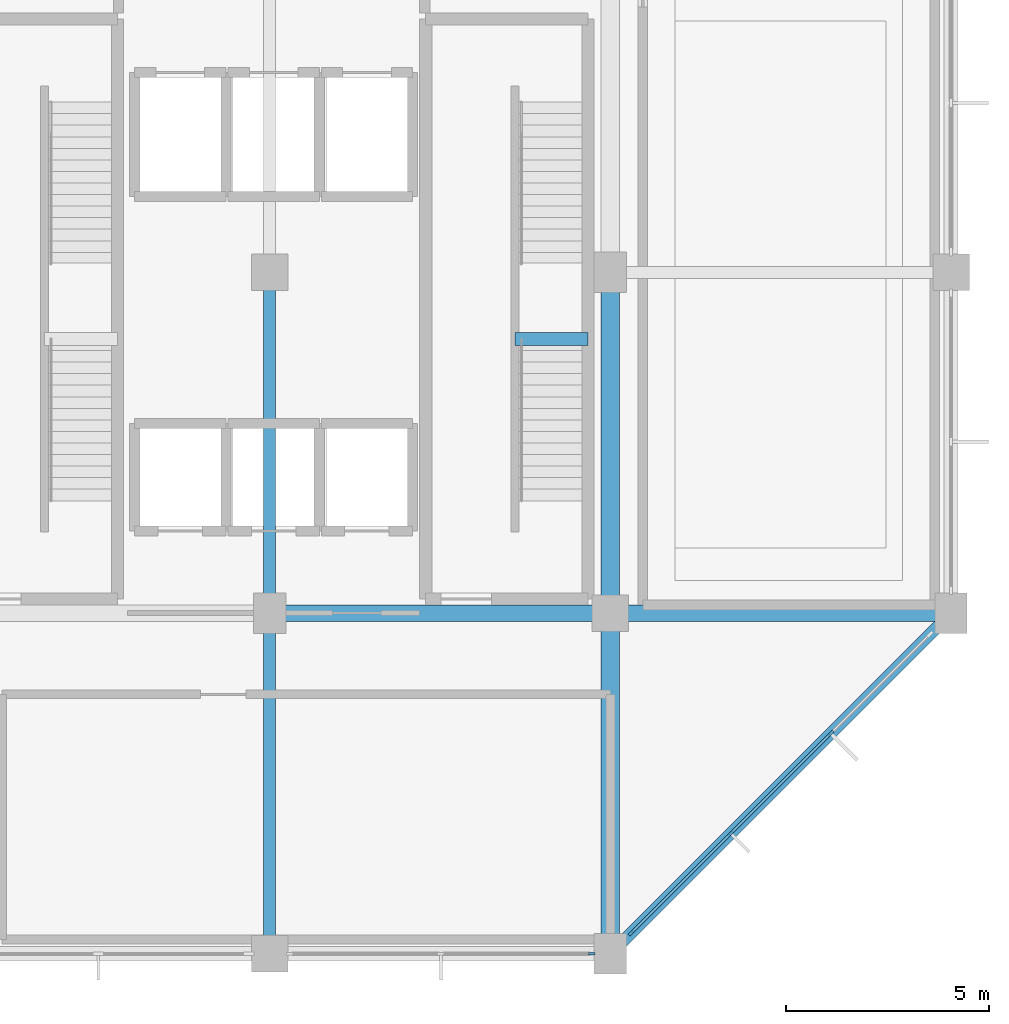
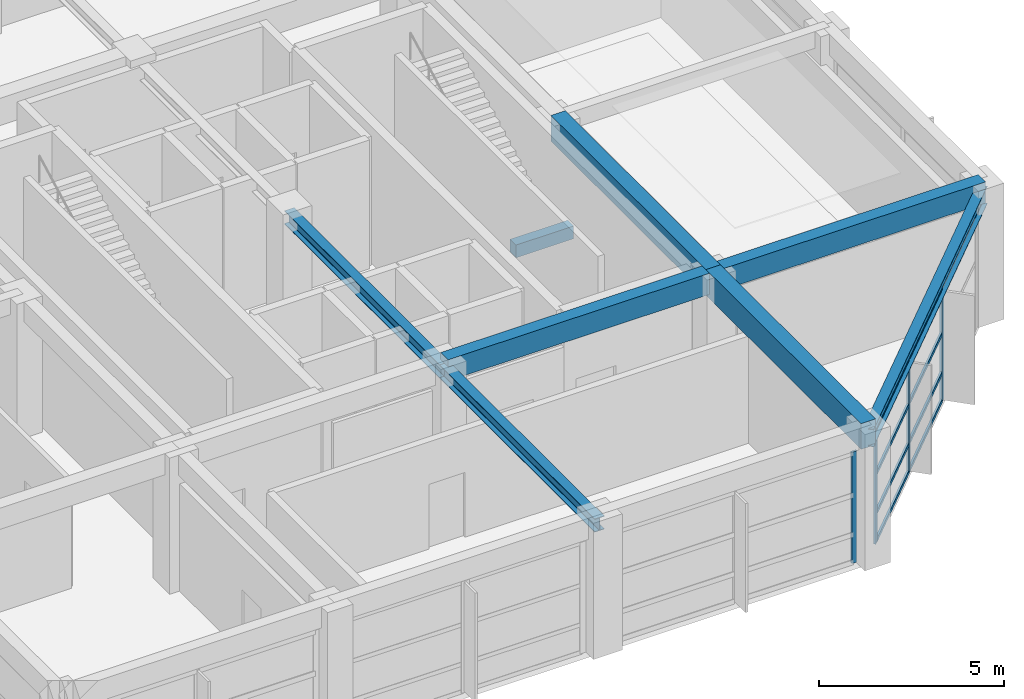
# One storey, part 3 of 10: 12 members, 8 beams, 2 elements without a shape of their own.
"""IFC4 building model written with IfcOpenShell, lengths in metres."""

from ifc_helpers import new_model, si_unit, direction, frame, origin, origin_2d, place, context, subcontext, project, spatial, rectangle, i_section, extrude, material, material_profile, profile_set, type_object, element, aggregate, save


model = new_model("IFC4")

# Units and contexts
model_context = context("Model", 3, precision=1e-05, world=origin(), true_north=direction((0.0, 1.0)))
body_context = subcontext(model_context, "Body", "Model", "MODEL_VIEW")
ifc_project = project(units=[si_unit("LENGTHUNIT", "METRE"), si_unit("AREAUNIT", "SQUARE_METRE"), si_unit("VOLUMEUNIT", "CUBIC_METRE"), si_unit("PLANEANGLEUNIT", "RADIAN"), si_unit("MASSUNIT", "GRAM", prefix="KILO")], contexts=[model_context])

# Site, building, storey
site_placement = place(None, origin())
site = spatial("IfcSite", under=ifc_project, at=site_placement, CompositionType="ELEMENT")
building_placement = place(site_placement, origin())
building = spatial("IfcBuilding", under=site, at=building_placement, Name="Xuanlan Plaza Opera House", CompositionType="ELEMENT")
storey_placement = place(building_placement, frame((0.0, 0.0, 69.89990234375)))
storey = spatial("IfcBuildingStorey", under=building, at=storey_placement, Name="L16", CompositionType="ELEMENT", Elevation=69.89990234375)

# Curtain wall, member
ifc_material_1 = material(Name="Anodised Aluminium 6063-T6 and Low-E Glass", Category="aluminium")
curtain_wall_type_1 = type_object("IfcCurtainWallType", Name="ENV-CW-CW-01", PredefinedType="USERDEFINED", material=ifc_material_1)
curtain_wall_1_placement = place(storey_placement, origin())
curtain_wall_1 = element("IfcCurtainWall", 1, at=curtain_wall_1_placement, inside=storey, type_object=curtain_wall_type_1, Name="Unitised Curtain Wall L16-003", ObjectType="UNITISED CURTAIN WALL", PredefinedType="USERDEFINED")
ifc_material_2 = material(Name="Anodised Aluminium 6063-T6", Category="aluminium")
ifc_material_profile_1 = material_profile(ifc_material_2, rectangle(XDim=0.06494140625, YDim=0.159912109375, at=origin_2d()), Name="ALU-M 65x160")
ifc_profile_set_1 = profile_set([ifc_material_profile_1], Name="Anodised Aluminium 6063-T6")
member_type_1 = type_object("IfcMemberType", Name="ENV-CWM-01", PredefinedType="MULLION", material=ifc_profile_set_1)
member_1_placement = place(storey_placement, frame((150.74755859375, 42.0, 0.0), z_axis=(0.0, 0.0, 1.0), x_axis=(0.0, 1.0, 0.0)))
member_1 = element("IfcMember", 2, at=member_1_placement, type_object=member_type_1, Name="CW-01 mullion 3", PredefinedType="MULLION", context=body_context, shape_type="SweptSolid", body=[
    extrude(rectangle(XDim=0.06494140625, YDim=0.159912109375, at=origin_2d()), origin(), (0.0, 0.0, 1.0), 3.68017578125),
])
aggregate(curtain_wall_1, [member_1])

# Curtain wall, members
curtain_wall_type_2 = type_object("IfcCurtainWallType", Name="ENV-CW-CW-02", PredefinedType="USERDEFINED", material=ifc_material_1)
curtain_wall_2_placement = place(storey_placement, origin())
curtain_wall_2 = element("IfcCurtainWall", 3, at=curtain_wall_2_placement, inside=storey, type_object=curtain_wall_type_2, Name="Unitised Curtain Wall L16-004", ObjectType="UNITISED CURTAIN WALL", PredefinedType="USERDEFINED")
ifc_material_profile_2 = material_profile(ifc_material_2, rectangle(XDim=0.070068359375, YDim=0.179931640625, at=origin_2d()), Name="ALU-M 70x180")
ifc_profile_set_2 = profile_set([ifc_material_profile_2], Name="Anodised Aluminium 6063-T6")
member_type_2 = type_object("IfcMemberType", Name="ENV-CWM-02", PredefinedType="MULLION", material=ifc_profile_set_2)
member_2_placement = place(storey_placement, frame((151.7236328125, 42.523681640625, 0.0), z_axis=(0.0, 0.0, 1.0), x_axis=(-0.707106781187, 0.707106781187, 0.0)))
member_2 = element("IfcMember", 4, at=member_2_placement, type_object=member_type_2, Name="CW-02 mullion 1", PredefinedType="MULLION", context=body_context, shape_type="SweptSolid", body=[
    extrude(rectangle(XDim=0.070068359375, YDim=0.179931640625, at=origin_2d()), origin(), (0.0, 0.0, 1.0), 3.68017578125),
])
member_3_placement = place(storey_placement, frame((154.166259765625, 44.96630859375, 0.0), z_axis=(0.0, 0.0, 1.0), x_axis=(-0.707106781187, 0.707106781187, 0.0)))
member_3 = element("IfcMember", 5, at=member_3_placement, type_object=member_type_2, Name="CW-02 mullion 2", PredefinedType="MULLION", context=body_context, shape_type="SweptSolid", body=[
    extrude(rectangle(XDim=0.070068359375, YDim=0.179931640625, at=origin_2d()), origin(), (0.0, 0.0, 1.0), 3.68017578125),
])
member_4_placement = place(storey_placement, frame((156.633544921875, 47.43359375, 0.0), z_axis=(0.0, 0.0, 1.0), x_axis=(-0.707106781187, 0.707106781187, 0.0)))
member_4 = element("IfcMember", 6, at=member_4_placement, type_object=member_type_2, Name="CW-02 mullion 3", PredefinedType="MULLION", context=body_context, shape_type="SweptSolid", body=[
    extrude(rectangle(XDim=0.070068359375, YDim=0.179931640625, at=origin_2d()), origin(), (0.0, 0.0, 1.0), 3.68017578125),
])
ifc_material_profile_3 = material_profile(ifc_material_2, rectangle(XDim=0.06494140625, YDim=0.1201171875, at=origin_2d()), Name="ALU-T 65x120")
ifc_profile_set_3 = profile_set([ifc_material_profile_3], Name="Anodised Aluminium 6063-T6")
member_type_3 = type_object("IfcMemberType", Name="ENV-CWT-01", PredefinedType="USERDEFINED", material=ifc_profile_set_3)
member_5_placement = place(storey_placement, frame((151.74853515625, 42.548583984375, 0.03271484375), z_axis=(0.707106781187, 0.707106781187, 0.0), x_axis=(-0.707106781187, 0.707106781187, 0.0)))
member_5 = element("IfcMember", 7, at=member_5_placement, type_object=member_type_3, Name="CW-02 transom 1.1", ObjectType="TRANSOM", PredefinedType="USERDEFINED", context=body_context, shape_type="SweptSolid", body=[
    extrude(rectangle(XDim=0.06494140625, YDim=0.1201171875, at=origin_2d()), origin(), (0.0, 0.0, 1.0), 3.38427734375),
])
member_6_placement = place(storey_placement, frame((151.74853515625, 42.548583984375, 0.9501953125), z_axis=(0.707106781187, 0.707106781187, 0.0), x_axis=(-0.707106781187, 0.707106781187, 0.0)))
member_6 = element("IfcMember", 8, at=member_6_placement, type_object=member_type_3, Name="CW-02 transom 1.2", ObjectType="TRANSOM", PredefinedType="USERDEFINED", context=body_context, shape_type="SweptSolid", body=[
    extrude(rectangle(XDim=0.06494140625, YDim=0.1201171875, at=origin_2d()), origin(), (0.0, 0.0, 1.0), 3.38427734375),
])
member_7_placement = place(storey_placement, frame((151.74853515625, 42.548583984375, 2.25), z_axis=(0.707106781187, 0.707106781187, 0.0), x_axis=(-0.707106781187, 0.707106781187, 0.0)))
member_7 = element("IfcMember", 9, at=member_7_placement, type_object=member_type_3, Name="CW-02 transom 1.3", ObjectType="TRANSOM", PredefinedType="USERDEFINED", context=body_context, shape_type="SweptSolid", body=[
    extrude(rectangle(XDim=0.06494140625, YDim=0.1201171875, at=origin_2d()), origin(), (0.0, 0.0, 1.0), 3.38427734375),
])
member_8_placement = place(storey_placement, frame((151.74853515625, 42.548583984375, 3.647705078125), z_axis=(0.707106781187, 0.707106781187, 0.0), x_axis=(-0.707106781187, 0.707106781187, 0.0)))
member_8 = element("IfcMember", 10, at=member_8_placement, type_object=member_type_3, Name="CW-02 transom 1.4", ObjectType="TRANSOM", PredefinedType="USERDEFINED", context=body_context, shape_type="SweptSolid", body=[
    extrude(rectangle(XDim=0.06494140625, YDim=0.1201171875, at=origin_2d()), origin(), (0.0, 0.0, 1.0), 3.38427734375),
])
member_9_placement = place(storey_placement, frame((154.191162109375, 44.990966796875, 0.03271484375), z_axis=(0.707071080443, 0.707142480128, 0.0), x_axis=(-0.707142480128, 0.707071080443, 0.0)))
member_9 = element("IfcMember", 11, at=member_9_placement, type_object=member_type_3, Name="CW-02 transom 2.1", ObjectType="TRANSOM", PredefinedType="USERDEFINED", context=body_context, shape_type="SweptSolid", body=[
    extrude(rectangle(XDim=0.06494140625, YDim=0.1201171875, at=origin_2d()), origin(), (0.0, 0.0, 1.0), 3.41943359375),
])
member_10_placement = place(storey_placement, frame((154.191162109375, 44.990966796875, 0.9501953125), z_axis=(0.707071080443, 0.707142480128, 0.0), x_axis=(-0.707142480128, 0.707071080443, 0.0)))
member_10 = element("IfcMember", 12, at=member_10_placement, type_object=member_type_3, Name="CW-02 transom 2.2", ObjectType="TRANSOM", PredefinedType="USERDEFINED", context=body_context, shape_type="SweptSolid", body=[
    extrude(rectangle(XDim=0.06494140625, YDim=0.1201171875, at=origin_2d()), origin(), (0.0, 0.0, 1.0), 3.41943359375),
])
member_11_placement = place(storey_placement, frame((154.191162109375, 44.990966796875, 2.25), z_axis=(0.707071080443, 0.707142480128, 0.0), x_axis=(-0.707142480128, 0.707071080443, 0.0)))
member_11 = element("IfcMember", 13, at=member_11_placement, type_object=member_type_3, Name="CW-02 transom 2.3", ObjectType="TRANSOM", PredefinedType="USERDEFINED", context=body_context, shape_type="SweptSolid", body=[
    extrude(rectangle(XDim=0.06494140625, YDim=0.1201171875, at=origin_2d()), origin(), (0.0, 0.0, 1.0), 3.41943359375),
])
member_12_placement = place(storey_placement, frame((154.191162109375, 44.990966796875, 3.647705078125), z_axis=(0.707071080443, 0.707142480128, 0.0), x_axis=(-0.707142480128, 0.707071080443, 0.0)))
member_12 = element("IfcMember", 14, at=member_12_placement, type_object=member_type_3, Name="CW-02 transom 2.4", ObjectType="TRANSOM", PredefinedType="USERDEFINED", context=body_context, shape_type="SweptSolid", body=[
    extrude(rectangle(XDim=0.06494140625, YDim=0.1201171875, at=origin_2d()), origin(), (0.0, 0.0, 1.0), 3.41943359375),
])
aggregate(curtain_wall_2, [member_2, member_3, member_4, member_5, member_6, member_7, member_8, member_9, member_10, member_11, member_12])

# Beams
ifc_material_3 = material(Name="Concrete C40", Category="concrete")
ifc_material_profile_4 = material_profile(ifc_material_3, rectangle(XDim=0.449951171875, YDim=0.85009765625, at=origin_2d()), Name="RC-BM 450x850")
ifc_profile_set_4 = profile_set([ifc_material_profile_4], Name="Concrete C40")
beam_type_1 = type_object("IfcBeamType", Name="STR-BM-B-04", PredefinedType="BEAM", material=ifc_profile_set_4)
beam_1_placement = place(storey_placement, frame((151.199951171875, 42.0, 4.0751953125), z_axis=(0.0, 1.0, 0.0), x_axis=(-1.0, 0.0, 0.0)))
element("IfcBeam", 15, at=beam_1_placement, inside=storey, type_object=beam_type_1, Name="Grid Beam Y L16 19/F-G", PredefinedType="BEAM", context=body_context, shape_type="SweptSolid", body=[
    extrude(rectangle(XDim=0.449951171875, YDim=0.85009765625, at=origin_2d()), origin(), (0.0, 0.0, 1.0), 8.39990234375),
])
beam_2_placement = place(storey_placement, frame((151.199951171875, 50.39990234375, 4.0751953125), z_axis=(0.0, 1.0, 0.0), x_axis=(-1.0, 0.0, 0.0)))
element("IfcBeam", 16, at=beam_2_placement, inside=storey, type_object=beam_type_1, Name="Grid Beam Y L16 19/G-H", PredefinedType="BEAM", context=body_context, shape_type="SweptSolid", body=[
    extrude(rectangle(XDim=0.449951171875, YDim=0.85009765625, at=origin_2d()), origin(), (0.0, 0.0, 1.0), 8.400146484375),
])
ifc_material_profile_5 = material_profile(ifc_material_3, rectangle(XDim=0.39990234375, YDim=0.699951171875, at=origin_2d()), Name="RC-BM 400x700")
ifc_profile_set_5 = profile_set([ifc_material_profile_5], Name="Concrete C40")
beam_type_2 = type_object("IfcBeamType", Name="STR-BM-B-07", PredefinedType="BEAM", material=ifc_profile_set_5)
beam_3_placement = place(storey_placement, frame((142.800048828125, 50.39990234375, 4.150146484375), z_axis=(1.0, 0.0, 0.0), x_axis=(0.0, 1.0, 0.0)))
element("IfcBeam", 17, at=beam_3_placement, inside=storey, type_object=beam_type_2, Name="Grid Beam X L16 18-19/G", PredefinedType="BEAM", context=body_context, shape_type="SweptSolid", body=[
    extrude(rectangle(XDim=0.39990234375, YDim=0.699951171875, at=origin_2d()), origin(), (0.0, 0.0, 1.0), 8.39990234375),
])
beam_4_placement = place(storey_placement, frame((151.199951171875, 50.39990234375, 4.150146484375), z_axis=(1.0, 0.0, 0.0), x_axis=(0.0, 1.0, 0.0)))
element("IfcBeam", 18, at=beam_4_placement, inside=storey, type_object=beam_type_2, Name="Grid Beam X L16 19-20/G", PredefinedType="BEAM", context=body_context, shape_type="SweptSolid", body=[
    extrude(rectangle(XDim=0.39990234375, YDim=0.699951171875, at=origin_2d()), origin(), (0.0, 0.0, 1.0), 8.400146484375),
])
ifc_material_profile_6 = material_profile(ifc_material_3, rectangle(XDim=0.320068359375, YDim=0.419921875, at=origin_2d()), Name="RC-LNT 320x420")
ifc_profile_set_6 = profile_set([ifc_material_profile_6], Name="Concrete C40")
beam_type_3 = type_object("IfcBeamType", Name="STR-BM-LN-04", PredefinedType="LINTEL", material=ifc_profile_set_6)
beam_5_placement = place(storey_placement, frame((148.85009765625, 57.159912109375, 1.840087890625), z_axis=(1.0, 0.0, 0.0), x_axis=(0.0, 1.0, 0.0)))
element("IfcBeam", 19, at=beam_5_placement, inside=storey, type_object=beam_type_3, Name="Stair Mid-Landing Trimmer Beam ST-T2 L16", PredefinedType="LINTEL", context=body_context, shape_type="SweptSolid", body=[
    extrude(rectangle(XDim=0.320068359375, YDim=0.419921875, at=origin_2d()), origin(), (0.0, 0.0, 1.0), 1.7998046875),
])
ifc_material_4 = material(Name="Steel Q355B", Category="steel")
ifc_material_profile_7 = material_profile(ifc_material_4, i_section(OverallWidth=0.300048828125, OverallDepth=0.43994140625, WebThickness=0.010986328125, FlangeThickness=0.01806640625, FilletRadius=0.02001953125, at=origin_2d()), Name="HM 440x300x11x18")
ifc_profile_set_7 = profile_set([ifc_material_profile_7], Name="Steel Q355B")
beam_type_4 = type_object("IfcBeamType", Name="STR-BM-SB-08", PredefinedType="BEAM", material=ifc_profile_set_7)
beam_6_placement = place(storey_placement, frame((142.800048828125, 42.0, 4.045166015625), z_axis=(0.0, 1.0, 0.0), x_axis=(-1.0, 0.0, 0.0)))
element("IfcBeam", 20, at=beam_6_placement, inside=storey, type_object=beam_type_4, Name="Grid Beam Y L16 18/F-G", PredefinedType="BEAM", context=body_context, shape_type="SweptSolid", body=[
    extrude(i_section(OverallWidth=0.300048828125, OverallDepth=0.43994140625, WebThickness=0.010986328125, FlangeThickness=0.01806640625, FilletRadius=0.02001953125, at=origin_2d()), origin(), (0.0, 0.0, 1.0), 8.39990234375),
])
beam_7_placement = place(storey_placement, frame((142.800048828125, 50.39990234375, 4.045166015625), z_axis=(0.0, 1.0, 0.0), x_axis=(-1.0, 0.0, 0.0)))
element("IfcBeam", 21, at=beam_7_placement, inside=storey, type_object=beam_type_4, Name="Grid Beam Y L16 18/G-H", PredefinedType="BEAM", context=body_context, shape_type="SweptSolid", body=[
    extrude(i_section(OverallWidth=0.300048828125, OverallDepth=0.43994140625, WebThickness=0.010986328125, FlangeThickness=0.01806640625, FilletRadius=0.02001953125, at=origin_2d()), origin(), (0.0, 0.0, 1.0), 8.400146484375),
])
ifc_material_profile_8 = material_profile(ifc_material_4, i_section(OverallWidth=0.300048828125, OverallDepth=0.587890625, WebThickness=0.011962890625, FlangeThickness=0.02001953125, FilletRadius=0.02392578125, at=origin_2d()), Name="HM 588x300x12x20")
ifc_profile_set_8 = profile_set([ifc_material_profile_8], Name="Steel Q355B")
beam_type_5 = type_object("IfcBeamType", Name="STR-BM-SP-03", PredefinedType="SPANDREL", material=ifc_profile_set_8)
beam_8_placement = place(storey_placement, frame((159.60009765625, 50.39990234375, 3.97119140625), z_axis=(-0.707117056885, -0.707096505339, 0.0), x_axis=(0.707096505339, -0.707117056885, 0.0)))
element("IfcBeam", 22, at=beam_8_placement, inside=storey, type_object=beam_type_5, Name="Faceted Edge Spandrel L16 CH05", PredefinedType="SPANDREL", context=body_context, shape_type="SweptSolid", body=[
    extrude(i_section(OverallWidth=0.300048828125, OverallDepth=0.587890625, WebThickness=0.011962890625, FlangeThickness=0.02001953125, FilletRadius=0.02392578125, at=origin_2d()), origin(), (0.0, 0.0, 1.0), 11.87939453125),
])

save(model, "model.ifc")
